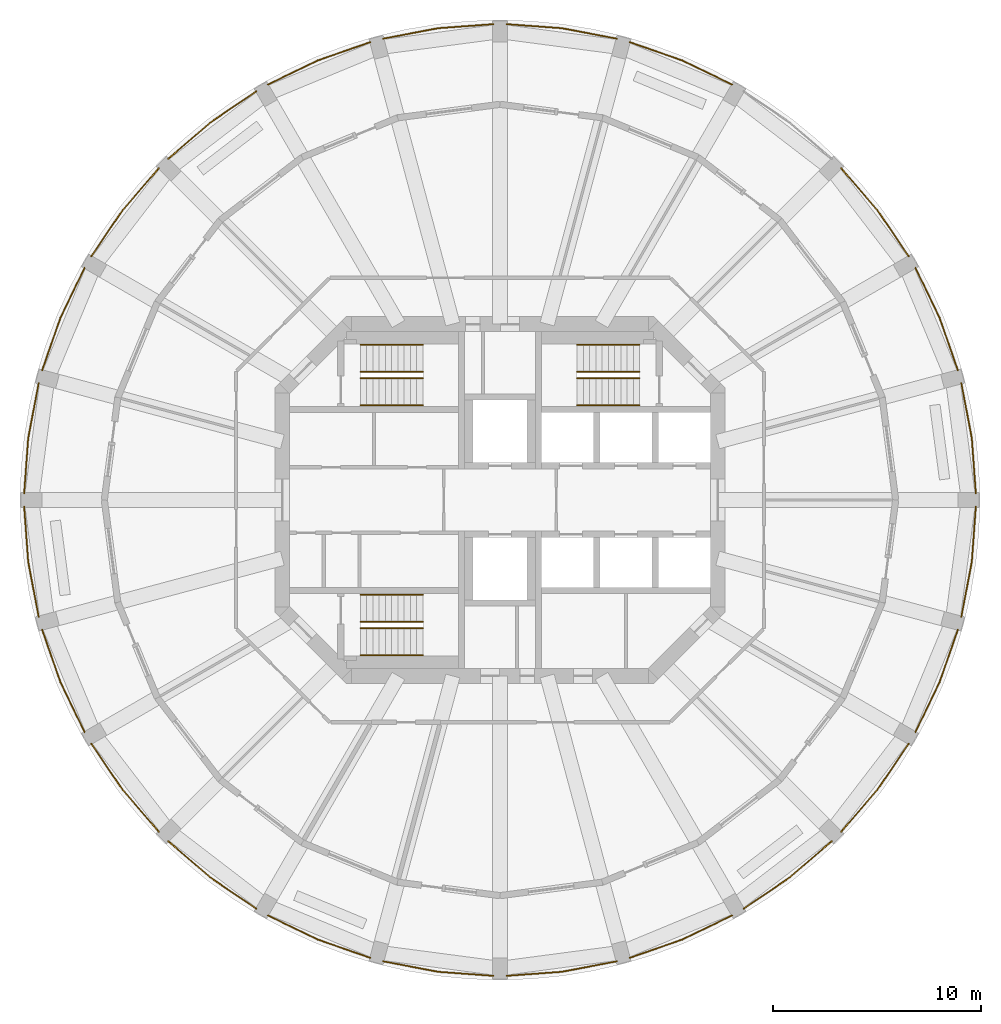
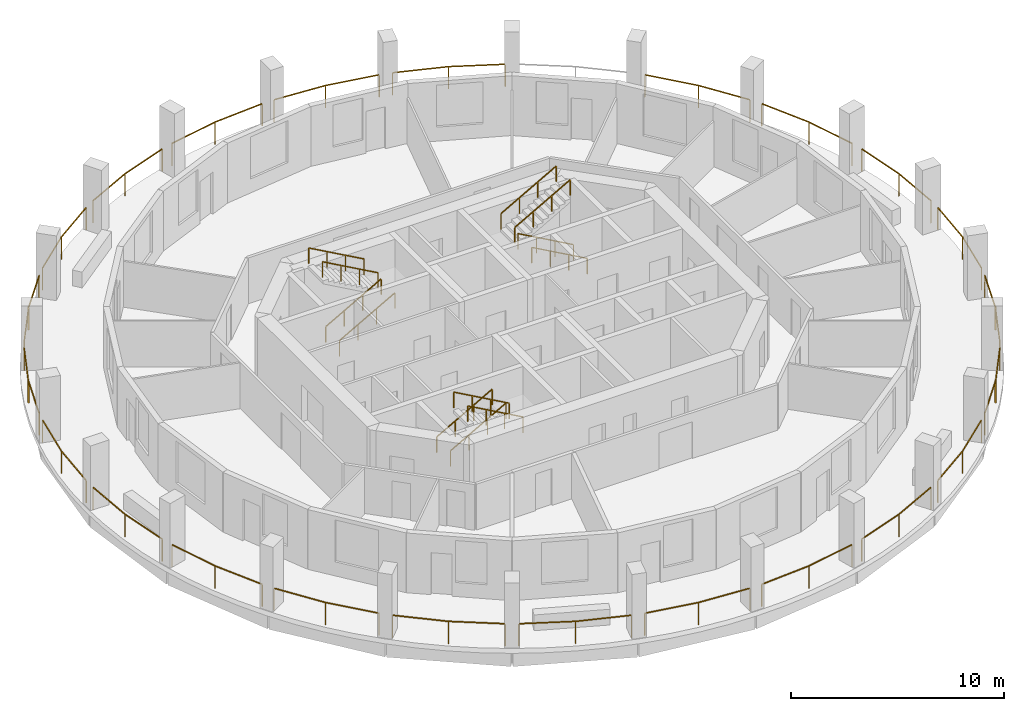
# One storey, part 8 of 9: 35 railings.
"""IFC4 building model written with IfcOpenShell, lengths in metres."""

from ifc_helpers import new_model, si_unit, direction, frame, origin, origin_2d, place, context, subcontext, project, spatial, rectangle, extrude, material, type_object, element, save


model = new_model("IFC4")

# Units and contexts
model_context = context("Model", 3, precision=1e-05, world=origin(), true_north=direction((0.0, 1.0)))
body_context = subcontext(model_context, "Body", "Model", "MODEL_VIEW")
ifc_project = project(units=[si_unit("LENGTHUNIT", "METRE"), si_unit("AREAUNIT", "SQUARE_METRE"), si_unit("VOLUMEUNIT", "CUBIC_METRE"), si_unit("PLANEANGLEUNIT", "RADIAN"), si_unit("MASSUNIT", "GRAM", prefix="KILO")], contexts=[model_context])

# Site, building, storey
site_placement = place(None, origin())
site = spatial("IfcSite", under=ifc_project, at=site_placement, CompositionType="ELEMENT")
building_placement = place(site_placement, origin())
building = spatial("IfcBuilding", under=site, at=building_placement, Name="Torre Triforio", CompositionType="ELEMENT")
storey_placement = place(building_placement, frame((0.0, 0.0, 161.60009765625)))
storey = spatial("IfcBuildingStorey", under=building, at=storey_placement, Name="L36", CompositionType="ELEMENT", Elevation=161.60009765625)

# Railings
ifc_material = material(Name="Stainless steel AISI 316", Category="steel")
railing_type_1 = type_object("IfcRailingType", Name="HANDRAIL 920", PredefinedType="HANDRAIL", material=ifc_material)
for number, where, name in (
    (1, (-6.699951171875, 4.550048828125, 0.16796875), "Handrail ST1"),
    (2, (-6.699951171875, 5.85009765625, 0.16796875), "Handrail ST1"),
):
    element("IfcRailing", number, at=place(storey_placement, frame(where)), inside=storey, type_object=railing_type_1, Name=name, PredefinedType="HANDRAIL", context=body_context, shape_type="SweptSolid", body=[
        extrude(rectangle(XDim=0.048095703125, YDim=0.048095703125, at=origin_2d()), frame((0.0, 0.0, 0.89599609375), z_axis=(0.872272294576, 0.0, 0.489020494575), x_axis=(0.0, 1.0, 0.0)), (0.0, 0.0, 1.0), 3.439208984375),
        extrude(rectangle(XDim=0.0419921875, YDim=0.0419921875, at=origin_2d()), origin(), (0.0, 0.0, 1.0), 0.871826171875),
        extrude(rectangle(XDim=0.0419921875, YDim=0.0419921875, at=origin_2d()), frame((1.0, 0.0, 0.560546875)), (0.0, 0.0, 1.0), 0.871826171875),
        extrude(rectangle(XDim=0.0419921875, YDim=0.0419921875, at=origin_2d()), frame((2.0, 0.0, 1.121337890625)), (0.0, 0.0, 1.0), 0.871826171875),
        extrude(rectangle(XDim=0.0419921875, YDim=0.0419921875, at=origin_2d()), frame((3.0, 0.0, 1.681884765625)), (0.0, 0.0, 1.0), 0.871826171875),
    ])
for number, where, name in (
    (3, (-3.699951171875, 7.449951171875, 2.01806640625), "Handrail ST1"),
    (4, (-3.699951171875, 6.14990234375, 2.01806640625), "Handrail ST1"),
    (5, (6.699951171875, 4.550048828125, 0.16796875), "Handrail ST2"),
    (6, (6.699951171875, 5.85009765625, 0.16796875), "Handrail ST2"),
):
    element("IfcRailing", number, at=place(storey_placement, frame(where)), inside=storey, type_object=railing_type_1, Name=name, PredefinedType="HANDRAIL", context=body_context, shape_type="SweptSolid", body=[
        extrude(rectangle(XDim=0.048095703125, YDim=0.048095703125, at=origin_2d()), frame((0.0, 0.0, 0.89599609375), z_axis=(-0.872272294576, 0.0, 0.489020494575), x_axis=(0.0, -1.0, 0.0)), (0.0, 0.0, 1.0), 3.439208984375),
        extrude(rectangle(XDim=0.0419921875, YDim=0.0419921875, at=origin_2d()), origin(), (0.0, 0.0, 1.0), 0.871826171875),
        extrude(rectangle(XDim=0.0419921875, YDim=0.0419921875, at=origin_2d()), frame((-1.0, 0.0, 0.560546875)), (0.0, 0.0, 1.0), 0.871826171875),
        extrude(rectangle(XDim=0.0419921875, YDim=0.0419921875, at=origin_2d()), frame((-2.0, 0.0, 1.121337890625)), (0.0, 0.0, 1.0), 0.871826171875),
        extrude(rectangle(XDim=0.0419921875, YDim=0.0419921875, at=origin_2d()), frame((-3.0, 0.0, 1.681884765625)), (0.0, 0.0, 1.0), 0.871826171875),
    ])
for number, where, name in (
    (7, (3.699951171875, 7.449951171875, 2.01806640625), "Handrail ST2"),
    (8, (3.699951171875, 6.14990234375, 2.01806640625), "Handrail ST2"),
    (9, (-6.699951171875, -4.550048828125, 0.16796875), "Handrail ST3"),
    (10, (-6.699951171875, -5.85009765625, 0.16796875), "Handrail ST3"),
):
    element("IfcRailing", number, at=place(storey_placement, frame(where)), inside=storey, type_object=railing_type_1, Name=name, PredefinedType="HANDRAIL", context=body_context, shape_type="SweptSolid", body=[
        extrude(rectangle(XDim=0.048095703125, YDim=0.048095703125, at=origin_2d()), frame((0.0, 0.0, 0.89599609375), z_axis=(0.872272294576, 0.0, 0.489020494575), x_axis=(0.0, 1.0, 0.0)), (0.0, 0.0, 1.0), 3.439208984375),
        extrude(rectangle(XDim=0.0419921875, YDim=0.0419921875, at=origin_2d()), origin(), (0.0, 0.0, 1.0), 0.871826171875),
        extrude(rectangle(XDim=0.0419921875, YDim=0.0419921875, at=origin_2d()), frame((1.0, 0.0, 0.560546875)), (0.0, 0.0, 1.0), 0.871826171875),
        extrude(rectangle(XDim=0.0419921875, YDim=0.0419921875, at=origin_2d()), frame((2.0, 0.0, 1.121337890625)), (0.0, 0.0, 1.0), 0.871826171875),
        extrude(rectangle(XDim=0.0419921875, YDim=0.0419921875, at=origin_2d()), frame((3.0, 0.0, 1.681884765625)), (0.0, 0.0, 1.0), 0.871826171875),
    ])
for number, where, name in (
    (11, (-3.699951171875, -7.449951171875, 2.01806640625), "Handrail ST3"),
    (12, (-3.699951171875, -6.14990234375, 2.01806640625), "Handrail ST3"),
):
    element("IfcRailing", number, at=place(storey_placement, frame(where)), inside=storey, type_object=railing_type_1, Name=name, PredefinedType="HANDRAIL", context=body_context, shape_type="SweptSolid", body=[
        extrude(rectangle(XDim=0.048095703125, YDim=0.048095703125, at=origin_2d()), frame((0.0, 0.0, 0.89599609375), z_axis=(-0.872272294576, 0.0, 0.489020494575), x_axis=(0.0, -1.0, 0.0)), (0.0, 0.0, 1.0), 3.439208984375),
        extrude(rectangle(XDim=0.0419921875, YDim=0.0419921875, at=origin_2d()), origin(), (0.0, 0.0, 1.0), 0.871826171875),
        extrude(rectangle(XDim=0.0419921875, YDim=0.0419921875, at=origin_2d()), frame((-1.0, 0.0, 0.560546875)), (0.0, 0.0, 1.0), 0.871826171875),
        extrude(rectangle(XDim=0.0419921875, YDim=0.0419921875, at=origin_2d()), frame((-2.0, 0.0, 1.121337890625)), (0.0, 0.0, 1.0), 0.871826171875),
        extrude(rectangle(XDim=0.0419921875, YDim=0.0419921875, at=origin_2d()), frame((-3.0, 0.0, 1.681884765625)), (0.0, 0.0, 1.0), 0.871826171875),
    ])
railing_type_2 = type_object("IfcRailingType", Name="Loggia guard 1300", PredefinedType="GUARDRAIL", material=ifc_material)
railing_1_placement = place(storey_placement, frame((22.85009765625, 0.320068359375, 0.0)))
element("IfcRailing", 13, at=railing_1_placement, inside=storey, type_object=railing_type_2, Name="Loggia guard L36 bay 01", PredefinedType="GUARDRAIL", context=body_context, shape_type="SweptSolid", body=[
    extrude(rectangle(XDim=0.050048828125, YDim=0.050048828125, at=origin_2d()), frame((0.0, 0.0, 1.27490234375), z_axis=(-0.073255194528, 0.997313228868, 0.0), x_axis=(-0.997313228868, -0.073255194528, 0.0)), (0.0, 0.0, 1.0), 2.66943359375),
    extrude(rectangle(XDim=0.050048828125, YDim=0.050048828125, at=origin_2d()), frame((-0.195556640625, 2.662353515625, 1.27490234375), z_axis=(-0.187368424401, 0.982289709575, 0.0), x_axis=(-0.982289709575, -0.187368424401, 0.0)), (0.0, 0.0, 1.0), 2.669921875),
    extrude(rectangle(XDim=0.0400390625, YDim=0.0400390625, at=origin_2d()), origin(), (0.0, 0.0, 1.0), 1.25),
    extrude(rectangle(XDim=0.0400390625, YDim=0.0400390625, at=origin_2d()), frame((-0.195556640625, 2.662353515625, 0.0)), (0.0, 0.0, 1.0), 1.25),
    extrude(rectangle(XDim=0.0400390625, YDim=0.0400390625, at=origin_2d()), frame((-0.69580078125, 5.284912109375, 0.0)), (0.0, 0.0, 1.0), 1.25),
])
railing_2_placement = place(storey_placement, frame((21.988525390625, 6.22314453125, 0.0)))
element("IfcRailing", 14, at=railing_2_placement, inside=storey, type_object=railing_type_2, Name="Loggia guard L36 bay 02", PredefinedType="GUARDRAIL", context=body_context, shape_type="SweptSolid", body=[
    extrude(rectangle(XDim=0.050048828125, YDim=0.050048828125, at=origin_2d()), frame((0.0, 0.0, 1.27490234375), z_axis=(-0.328846918852, 0.944383239984, 0.0), x_axis=(-0.944383239984, -0.328846918852, 0.0)), (0.0, 0.0, 1.0), 2.669677734375),
    extrude(rectangle(XDim=0.050048828125, YDim=0.050048828125, at=origin_2d()), frame((-0.8779296875, 2.521240234375, 1.27490234375), z_axis=(-0.435211903812, 0.900328050646, 0.0), x_axis=(-0.900328050646, -0.435211903812, 0.0)), (0.0, 0.0, 1.0), 2.669677734375),
    extrude(rectangle(XDim=0.0400390625, YDim=0.0400390625, at=origin_2d()), origin(), (0.0, 0.0, 1.0), 1.25),
    extrude(rectangle(XDim=0.0400390625, YDim=0.0400390625, at=origin_2d()), frame((-0.8779296875, 2.521240234375, 0.0)), (0.0, 0.0, 1.0), 1.25),
    extrude(rectangle(XDim=0.0400390625, YDim=0.0400390625, at=origin_2d()), frame((-2.039794921875, 4.9248046875, 0.0)), (0.0, 0.0, 1.0), 1.25),
])
railing_3_placement = place(storey_placement, frame((19.628662109375, 11.7021484375, 0.0)))
element("IfcRailing", 15, at=railing_3_placement, inside=storey, type_object=railing_type_2, Name="Loggia guard L36 bay 03", PredefinedType="GUARDRAIL", context=body_context, shape_type="SweptSolid", body=[
    extrude(rectangle(XDim=0.050048828125, YDim=0.050048828125, at=origin_2d()), frame((0.0, 0.0, 1.27490234375), z_axis=(-0.562064856935, 0.827093160774, 0.0), x_axis=(-0.827093160774, -0.562064856935, 0.0)), (0.0, 0.0, 1.0), 2.669677734375),
    extrude(rectangle(XDim=0.050048828125, YDim=0.050048828125, at=origin_2d()), frame((-1.50048828125, 2.2080078125, 1.27490234375), z_axis=(-0.653400799038, 0.757012150376, 0.0), x_axis=(-0.757012150376, -0.653400799038, 0.0)), (0.0, 0.0, 1.0), 2.669677734375),
    extrude(rectangle(XDim=0.0400390625, YDim=0.0400390625, at=origin_2d()), origin(), (0.0, 0.0, 1.0), 1.25),
    extrude(rectangle(XDim=0.0400390625, YDim=0.0400390625, at=origin_2d()), frame((-1.50048828125, 2.2080078125, 0.0)), (0.0, 0.0, 1.0), 1.25),
    extrude(rectangle(XDim=0.0400390625, YDim=0.0400390625, at=origin_2d()), frame((-3.244873046875, 4.22900390625, 0.0)), (0.0, 0.0, 1.0), 1.25),
])
railing_4_placement = place(storey_placement, frame((11.14794921875, 19.94873046875, 0.0)))
element("IfcRailing", 16, at=railing_4_placement, inside=storey, type_object=railing_type_2, Name="Loggia guard L36 bay 05", PredefinedType="GUARDRAIL", context=body_context, shape_type="SweptSolid", body=[
    extrude(rectangle(XDim=0.050048828125, YDim=0.050048828125, at=origin_2d()), frame((0.0, 0.0, 1.27490234375), z_axis=(-0.900328050646, 0.435211903812, 0.0), x_axis=(-0.435211903812, -0.900328050646, 0.0)), (0.0, 0.0, 1.0), 2.669677734375),
    extrude(rectangle(XDim=0.050048828125, YDim=0.050048828125, at=origin_2d()), frame((-2.403564453125, 1.161865234375, 1.27490234375), z_axis=(-0.944383239984, 0.328846918852, 0.0), x_axis=(-0.328846918852, -0.944383239984, 0.0)), (0.0, 0.0, 1.0), 2.669677734375),
    extrude(rectangle(XDim=0.0400390625, YDim=0.0400390625, at=origin_2d()), origin(), (0.0, 0.0, 1.0), 1.25),
    extrude(rectangle(XDim=0.0400390625, YDim=0.0400390625, at=origin_2d()), frame((-2.403564453125, 1.161865234375, 0.0)), (0.0, 0.0, 1.0), 1.25),
    extrude(rectangle(XDim=0.0400390625, YDim=0.0400390625, at=origin_2d()), frame((-4.9248046875, 2.039794921875, 0.0)), (0.0, 0.0, 1.0), 1.25),
])
railing_5_placement = place(storey_placement, frame((5.60498046875, 22.154296875, 0.0)))
element("IfcRailing", 17, at=railing_5_placement, inside=storey, type_object=railing_type_2, Name="Loggia guard L36 bay 06", PredefinedType="GUARDRAIL", context=body_context, shape_type="SweptSolid", body=[
    extrude(rectangle(XDim=0.050048828125, YDim=0.050048828125, at=origin_2d()), frame((0.0, 0.0, 1.27490234375), z_axis=(-0.982289709575, 0.187368424401, 0.0), x_axis=(-0.187368424401, -0.982289709575, 0.0)), (0.0, 0.0, 1.0), 2.669921875),
    extrude(rectangle(XDim=0.050048828125, YDim=0.050048828125, at=origin_2d()), frame((-2.62255859375, 0.500244140625, 1.27490234375), z_axis=(-0.997313228868, 0.073255194528, 0.0), x_axis=(-0.073255194528, -0.997313228868, 0.0)), (0.0, 0.0, 1.0), 2.66943359375),
    extrude(rectangle(XDim=0.0400390625, YDim=0.0400390625, at=origin_2d()), origin(), (0.0, 0.0, 1.0), 1.25),
    extrude(rectangle(XDim=0.0400390625, YDim=0.0400390625, at=origin_2d()), frame((-2.62255859375, 0.500244140625, 0.0)), (0.0, 0.0, 1.0), 1.25),
    extrude(rectangle(XDim=0.0400390625, YDim=0.0400390625, at=origin_2d()), frame((-5.284912109375, 0.69580078125, 0.0)), (0.0, 0.0, 1.0), 1.25),
])
railing_6_placement = place(storey_placement, frame((-0.320068359375, 22.85009765625, 0.0)))
element("IfcRailing", 18, at=railing_6_placement, inside=storey, type_object=railing_type_2, Name="Loggia guard L36 bay 07", PredefinedType="GUARDRAIL", context=body_context, shape_type="SweptSolid", body=[
    extrude(rectangle(XDim=0.050048828125, YDim=0.050048828125, at=origin_2d()), frame((0.0, 0.0, 1.27490234375), z_axis=(-0.997313228868, -0.073255194528, 0.0), x_axis=(0.073255194528, -0.997313228868, 0.0)), (0.0, 0.0, 1.0), 2.66943359375),
    extrude(rectangle(XDim=0.050048828125, YDim=0.050048828125, at=origin_2d()), frame((-2.662353515625, -0.195556640625, 1.27490234375), z_axis=(-0.982289709575, -0.187368424401, 0.0), x_axis=(0.187368424401, -0.982289709575, 0.0)), (0.0, 0.0, 1.0), 2.669921875),
    extrude(rectangle(XDim=0.0400390625, YDim=0.0400390625, at=origin_2d()), origin(), (0.0, 0.0, 1.0), 1.25),
    extrude(rectangle(XDim=0.0400390625, YDim=0.0400390625, at=origin_2d()), frame((-2.662353515625, -0.195556640625, 0.0)), (0.0, 0.0, 1.0), 1.25),
    extrude(rectangle(XDim=0.0400390625, YDim=0.0400390625, at=origin_2d()), frame((-5.284912109375, -0.69580078125, 0.0)), (0.0, 0.0, 1.0), 1.25),
])
railing_7_placement = place(storey_placement, frame((-6.22314453125, 21.988525390625, 0.0)))
element("IfcRailing", 19, at=railing_7_placement, inside=storey, type_object=railing_type_2, Name="Loggia guard L36 bay 08", PredefinedType="GUARDRAIL", context=body_context, shape_type="SweptSolid", body=[
    extrude(rectangle(XDim=0.050048828125, YDim=0.050048828125, at=origin_2d()), frame((0.0, 0.0, 1.27490234375), z_axis=(-0.944383239984, -0.328846918852, 0.0), x_axis=(0.328846918852, -0.944383239984, 0.0)), (0.0, 0.0, 1.0), 2.669677734375),
    extrude(rectangle(XDim=0.050048828125, YDim=0.050048828125, at=origin_2d()), frame((-2.521240234375, -0.8779296875, 1.27490234375), z_axis=(-0.900328050646, -0.435211903812, 0.0), x_axis=(0.435211903812, -0.900328050646, 0.0)), (0.0, 0.0, 1.0), 2.669677734375),
    extrude(rectangle(XDim=0.0400390625, YDim=0.0400390625, at=origin_2d()), origin(), (0.0, 0.0, 1.0), 1.25),
    extrude(rectangle(XDim=0.0400390625, YDim=0.0400390625, at=origin_2d()), frame((-2.521240234375, -0.8779296875, 0.0)), (0.0, 0.0, 1.0), 1.25),
    extrude(rectangle(XDim=0.0400390625, YDim=0.0400390625, at=origin_2d()), frame((-4.9248046875, -2.039794921875, 0.0)), (0.0, 0.0, 1.0), 1.25),
])
railing_8_placement = place(storey_placement, frame((-11.7021484375, 19.628662109375, 0.0)))
element("IfcRailing", 20, at=railing_8_placement, inside=storey, type_object=railing_type_2, Name="Loggia guard L36 bay 09", PredefinedType="GUARDRAIL", context=body_context, shape_type="SweptSolid", body=[
    extrude(rectangle(XDim=0.050048828125, YDim=0.050048828125, at=origin_2d()), frame((0.0, 0.0, 1.27490234375), z_axis=(-0.827093160774, -0.562064856935, 0.0), x_axis=(0.562064856935, -0.827093160774, 0.0)), (0.0, 0.0, 1.0), 2.669677734375),
    extrude(rectangle(XDim=0.050048828125, YDim=0.050048828125, at=origin_2d()), frame((-2.2080078125, -1.50048828125, 1.27490234375), z_axis=(-0.757012150376, -0.653400799038, 0.0), x_axis=(0.653400799038, -0.757012150376, 0.0)), (0.0, 0.0, 1.0), 2.669677734375),
    extrude(rectangle(XDim=0.0400390625, YDim=0.0400390625, at=origin_2d()), origin(), (0.0, 0.0, 1.0), 1.25),
    extrude(rectangle(XDim=0.0400390625, YDim=0.0400390625, at=origin_2d()), frame((-2.2080078125, -1.50048828125, 0.0)), (0.0, 0.0, 1.0), 1.25),
    extrude(rectangle(XDim=0.0400390625, YDim=0.0400390625, at=origin_2d()), frame((-4.22900390625, -3.244873046875, 0.0)), (0.0, 0.0, 1.0), 1.25),
])
railing_9_placement = place(storey_placement, frame((-16.3837890625, 15.93115234375, 0.0)))
element("IfcRailing", 21, at=railing_9_placement, inside=storey, type_object=railing_type_2, Name="Loggia guard L36 bay 10", PredefinedType="GUARDRAIL", context=body_context, shape_type="SweptSolid", body=[
    extrude(rectangle(XDim=0.050048828125, YDim=0.050048828125, at=origin_2d()), frame((0.0, 0.0, 1.27490234375), z_axis=(-0.653400799038, -0.757012150376, 0.0), x_axis=(0.757012150376, -0.653400799038, 0.0)), (0.0, 0.0, 1.0), 2.669677734375),
    extrude(rectangle(XDim=0.050048828125, YDim=0.050048828125, at=origin_2d()), frame((-1.744384765625, -2.02099609375, 1.27490234375), z_axis=(-0.562064856935, -0.827093160774, 0.0), x_axis=(0.827093160774, -0.562064856935, 0.0)), (0.0, 0.0, 1.0), 2.669677734375),
    extrude(rectangle(XDim=0.0400390625, YDim=0.0400390625, at=origin_2d()), origin(), (0.0, 0.0, 1.0), 1.25),
    extrude(rectangle(XDim=0.0400390625, YDim=0.0400390625, at=origin_2d()), frame((-1.744384765625, -2.02099609375, 0.0)), (0.0, 0.0, 1.0), 1.25),
    extrude(rectangle(XDim=0.0400390625, YDim=0.0400390625, at=origin_2d()), frame((-3.244873046875, -4.22900390625, 0.0)), (0.0, 0.0, 1.0), 1.25),
])
railing_10_placement = place(storey_placement, frame((-19.94873046875, 11.14794921875, 0.0)))
element("IfcRailing", 22, at=railing_10_placement, inside=storey, type_object=railing_type_2, Name="Loggia guard L36 bay 11", PredefinedType="GUARDRAIL", context=body_context, shape_type="SweptSolid", body=[
    extrude(rectangle(XDim=0.050048828125, YDim=0.050048828125, at=origin_2d()), frame((0.0, 0.0, 1.27490234375), z_axis=(-0.435211903812, -0.900328050646, 0.0), x_axis=(0.900328050646, -0.435211903812, 0.0)), (0.0, 0.0, 1.0), 2.669677734375),
    extrude(rectangle(XDim=0.050048828125, YDim=0.050048828125, at=origin_2d()), frame((-1.161865234375, -2.403564453125, 1.27490234375), z_axis=(-0.328846918852, -0.944383239984, 0.0), x_axis=(0.944383239984, -0.328846918852, 0.0)), (0.0, 0.0, 1.0), 2.669677734375),
    extrude(rectangle(XDim=0.0400390625, YDim=0.0400390625, at=origin_2d()), origin(), (0.0, 0.0, 1.0), 1.25),
    extrude(rectangle(XDim=0.0400390625, YDim=0.0400390625, at=origin_2d()), frame((-1.161865234375, -2.403564453125, 0.0)), (0.0, 0.0, 1.0), 1.25),
    extrude(rectangle(XDim=0.0400390625, YDim=0.0400390625, at=origin_2d()), frame((-2.039794921875, -4.9248046875, 0.0)), (0.0, 0.0, 1.0), 1.25),
])
railing_11_placement = place(storey_placement, frame((-22.154296875, 5.60498046875, 0.0)))
element("IfcRailing", 23, at=railing_11_placement, inside=storey, type_object=railing_type_2, Name="Loggia guard L36 bay 12", PredefinedType="GUARDRAIL", context=body_context, shape_type="SweptSolid", body=[
    extrude(rectangle(XDim=0.050048828125, YDim=0.050048828125, at=origin_2d()), frame((0.0, 0.0, 1.27490234375), z_axis=(-0.187368424401, -0.982289709575, 0.0), x_axis=(0.982289709575, -0.187368424401, 0.0)), (0.0, 0.0, 1.0), 2.669921875),
    extrude(rectangle(XDim=0.050048828125, YDim=0.050048828125, at=origin_2d()), frame((-0.500244140625, -2.62255859375, 1.27490234375), z_axis=(-0.073255194528, -0.997313228868, 0.0), x_axis=(0.997313228868, -0.073255194528, 0.0)), (0.0, 0.0, 1.0), 2.66943359375),
    extrude(rectangle(XDim=0.0400390625, YDim=0.0400390625, at=origin_2d()), origin(), (0.0, 0.0, 1.0), 1.25),
    extrude(rectangle(XDim=0.0400390625, YDim=0.0400390625, at=origin_2d()), frame((-0.500244140625, -2.62255859375, 0.0)), (0.0, 0.0, 1.0), 1.25),
    extrude(rectangle(XDim=0.0400390625, YDim=0.0400390625, at=origin_2d()), frame((-0.69580078125, -5.284912109375, 0.0)), (0.0, 0.0, 1.0), 1.25),
])
railing_12_placement = place(storey_placement, frame((-22.85009765625, -0.320068359375, 0.0)))
element("IfcRailing", 24, at=railing_12_placement, inside=storey, type_object=railing_type_2, Name="Loggia guard L36 bay 13", PredefinedType="GUARDRAIL", context=body_context, shape_type="SweptSolid", body=[
    extrude(rectangle(XDim=0.050048828125, YDim=0.050048828125, at=origin_2d()), frame((0.0, 0.0, 1.27490234375), z_axis=(0.073255194528, -0.997313228868, 0.0), x_axis=(0.997313228868, 0.073255194528, 0.0)), (0.0, 0.0, 1.0), 2.66943359375),
    extrude(rectangle(XDim=0.050048828125, YDim=0.050048828125, at=origin_2d()), frame((0.195556640625, -2.662353515625, 1.27490234375), z_axis=(0.187368424401, -0.982289709575, 0.0), x_axis=(0.982289709575, 0.187368424401, 0.0)), (0.0, 0.0, 1.0), 2.669921875),
    extrude(rectangle(XDim=0.0400390625, YDim=0.0400390625, at=origin_2d()), origin(), (0.0, 0.0, 1.0), 1.25),
    extrude(rectangle(XDim=0.0400390625, YDim=0.0400390625, at=origin_2d()), frame((0.195556640625, -2.662353515625, 0.0)), (0.0, 0.0, 1.0), 1.25),
    extrude(rectangle(XDim=0.0400390625, YDim=0.0400390625, at=origin_2d()), frame((0.69580078125, -5.284912109375, 0.0)), (0.0, 0.0, 1.0), 1.25),
])
railing_13_placement = place(storey_placement, frame((-21.988525390625, -6.22314453125, 0.0)))
element("IfcRailing", 25, at=railing_13_placement, inside=storey, type_object=railing_type_2, Name="Loggia guard L36 bay 14", PredefinedType="GUARDRAIL", context=body_context, shape_type="SweptSolid", body=[
    extrude(rectangle(XDim=0.050048828125, YDim=0.050048828125, at=origin_2d()), frame((0.0, 0.0, 1.27490234375), z_axis=(0.328846918852, -0.944383239984, 0.0), x_axis=(0.944383239984, 0.328846918852, 0.0)), (0.0, 0.0, 1.0), 2.669677734375),
    extrude(rectangle(XDim=0.050048828125, YDim=0.050048828125, at=origin_2d()), frame((0.8779296875, -2.521240234375, 1.27490234375), z_axis=(0.435211903812, -0.900328050646, 0.0), x_axis=(0.900328050646, 0.435211903812, 0.0)), (0.0, 0.0, 1.0), 2.669677734375),
    extrude(rectangle(XDim=0.0400390625, YDim=0.0400390625, at=origin_2d()), origin(), (0.0, 0.0, 1.0), 1.25),
    extrude(rectangle(XDim=0.0400390625, YDim=0.0400390625, at=origin_2d()), frame((0.8779296875, -2.521240234375, 0.0)), (0.0, 0.0, 1.0), 1.25),
    extrude(rectangle(XDim=0.0400390625, YDim=0.0400390625, at=origin_2d()), frame((2.039794921875, -4.9248046875, 0.0)), (0.0, 0.0, 1.0), 1.25),
])
railing_14_placement = place(storey_placement, frame((-19.628662109375, -11.7021484375, 0.0)))
element("IfcRailing", 26, at=railing_14_placement, inside=storey, type_object=railing_type_2, Name="Loggia guard L36 bay 15", PredefinedType="GUARDRAIL", context=body_context, shape_type="SweptSolid", body=[
    extrude(rectangle(XDim=0.050048828125, YDim=0.050048828125, at=origin_2d()), frame((0.0, 0.0, 1.27490234375), z_axis=(0.562064856935, -0.827093160774, 0.0), x_axis=(0.827093160774, 0.562064856935, 0.0)), (0.0, 0.0, 1.0), 2.669677734375),
    extrude(rectangle(XDim=0.050048828125, YDim=0.050048828125, at=origin_2d()), frame((1.50048828125, -2.2080078125, 1.27490234375), z_axis=(0.653400799038, -0.757012150376, 0.0), x_axis=(0.757012150376, 0.653400799038, 0.0)), (0.0, 0.0, 1.0), 2.669677734375),
    extrude(rectangle(XDim=0.0400390625, YDim=0.0400390625, at=origin_2d()), origin(), (0.0, 0.0, 1.0), 1.25),
    extrude(rectangle(XDim=0.0400390625, YDim=0.0400390625, at=origin_2d()), frame((1.50048828125, -2.2080078125, 0.0)), (0.0, 0.0, 1.0), 1.25),
    extrude(rectangle(XDim=0.0400390625, YDim=0.0400390625, at=origin_2d()), frame((3.244873046875, -4.22900390625, 0.0)), (0.0, 0.0, 1.0), 1.25),
])
railing_15_placement = place(storey_placement, frame((-15.93115234375, -16.3837890625, 0.0)))
element("IfcRailing", 27, at=railing_15_placement, inside=storey, type_object=railing_type_2, Name="Loggia guard L36 bay 16", PredefinedType="GUARDRAIL", context=body_context, shape_type="SweptSolid", body=[
    extrude(rectangle(XDim=0.050048828125, YDim=0.050048828125, at=origin_2d()), frame((0.0, 0.0, 1.27490234375), z_axis=(0.757012150376, -0.653400799038, 0.0), x_axis=(0.653400799038, 0.757012150376, 0.0)), (0.0, 0.0, 1.0), 2.669677734375),
    extrude(rectangle(XDim=0.050048828125, YDim=0.050048828125, at=origin_2d()), frame((2.02099609375, -1.744384765625, 1.27490234375), z_axis=(0.827093160774, -0.562064856935, 0.0), x_axis=(0.562064856935, 0.827093160774, 0.0)), (0.0, 0.0, 1.0), 2.669677734375),
    extrude(rectangle(XDim=0.0400390625, YDim=0.0400390625, at=origin_2d()), origin(), (0.0, 0.0, 1.0), 1.25),
    extrude(rectangle(XDim=0.0400390625, YDim=0.0400390625, at=origin_2d()), frame((2.02099609375, -1.744384765625, 0.0)), (0.0, 0.0, 1.0), 1.25),
    extrude(rectangle(XDim=0.0400390625, YDim=0.0400390625, at=origin_2d()), frame((4.22900390625, -3.244873046875, 0.0)), (0.0, 0.0, 1.0), 1.25),
])
railing_16_placement = place(storey_placement, frame((-11.14794921875, -19.94873046875, 0.0)))
element("IfcRailing", 28, at=railing_16_placement, inside=storey, type_object=railing_type_2, Name="Loggia guard L36 bay 17", PredefinedType="GUARDRAIL", context=body_context, shape_type="SweptSolid", body=[
    extrude(rectangle(XDim=0.050048828125, YDim=0.050048828125, at=origin_2d()), frame((0.0, 0.0, 1.27490234375), z_axis=(0.900328050646, -0.435211903812, 0.0), x_axis=(0.435211903812, 0.900328050646, 0.0)), (0.0, 0.0, 1.0), 2.669677734375),
    extrude(rectangle(XDim=0.050048828125, YDim=0.050048828125, at=origin_2d()), frame((2.403564453125, -1.161865234375, 1.27490234375), z_axis=(0.944383239984, -0.328846918852, 0.0), x_axis=(0.328846918852, 0.944383239984, 0.0)), (0.0, 0.0, 1.0), 2.669677734375),
    extrude(rectangle(XDim=0.0400390625, YDim=0.0400390625, at=origin_2d()), origin(), (0.0, 0.0, 1.0), 1.25),
    extrude(rectangle(XDim=0.0400390625, YDim=0.0400390625, at=origin_2d()), frame((2.403564453125, -1.161865234375, 0.0)), (0.0, 0.0, 1.0), 1.25),
    extrude(rectangle(XDim=0.0400390625, YDim=0.0400390625, at=origin_2d()), frame((4.9248046875, -2.039794921875, 0.0)), (0.0, 0.0, 1.0), 1.25),
])
railing_17_placement = place(storey_placement, frame((-5.60498046875, -22.154296875, 0.0)))
element("IfcRailing", 29, at=railing_17_placement, inside=storey, type_object=railing_type_2, Name="Loggia guard L36 bay 18", PredefinedType="GUARDRAIL", context=body_context, shape_type="SweptSolid", body=[
    extrude(rectangle(XDim=0.050048828125, YDim=0.050048828125, at=origin_2d()), frame((0.0, 0.0, 1.27490234375), z_axis=(0.982289709575, -0.187368424401, 0.0), x_axis=(0.187368424401, 0.982289709575, 0.0)), (0.0, 0.0, 1.0), 2.669921875),
    extrude(rectangle(XDim=0.050048828125, YDim=0.050048828125, at=origin_2d()), frame((2.62255859375, -0.500244140625, 1.27490234375), z_axis=(0.997313228868, -0.073255194528, 0.0), x_axis=(0.073255194528, 0.997313228868, 0.0)), (0.0, 0.0, 1.0), 2.66943359375),
    extrude(rectangle(XDim=0.0400390625, YDim=0.0400390625, at=origin_2d()), origin(), (0.0, 0.0, 1.0), 1.25),
    extrude(rectangle(XDim=0.0400390625, YDim=0.0400390625, at=origin_2d()), frame((2.62255859375, -0.500244140625, 0.0)), (0.0, 0.0, 1.0), 1.25),
    extrude(rectangle(XDim=0.0400390625, YDim=0.0400390625, at=origin_2d()), frame((5.284912109375, -0.69580078125, 0.0)), (0.0, 0.0, 1.0), 1.25),
])
railing_18_placement = place(storey_placement, frame((0.320068359375, -22.85009765625, 0.0)))
element("IfcRailing", 30, at=railing_18_placement, inside=storey, type_object=railing_type_2, Name="Loggia guard L36 bay 19", PredefinedType="GUARDRAIL", context=body_context, shape_type="SweptSolid", body=[
    extrude(rectangle(XDim=0.050048828125, YDim=0.050048828125, at=origin_2d()), frame((0.0, 0.0, 1.27490234375), z_axis=(0.997313228868, 0.073255194528, 0.0), x_axis=(-0.073255194528, 0.997313228868, 0.0)), (0.0, 0.0, 1.0), 2.66943359375),
    extrude(rectangle(XDim=0.050048828125, YDim=0.050048828125, at=origin_2d()), frame((2.662353515625, 0.195556640625, 1.27490234375), z_axis=(0.982289709575, 0.187368424401, 0.0), x_axis=(-0.187368424401, 0.982289709575, 0.0)), (0.0, 0.0, 1.0), 2.669921875),
    extrude(rectangle(XDim=0.0400390625, YDim=0.0400390625, at=origin_2d()), origin(), (0.0, 0.0, 1.0), 1.25),
    extrude(rectangle(XDim=0.0400390625, YDim=0.0400390625, at=origin_2d()), frame((2.662353515625, 0.195556640625, 0.0)), (0.0, 0.0, 1.0), 1.25),
    extrude(rectangle(XDim=0.0400390625, YDim=0.0400390625, at=origin_2d()), frame((5.284912109375, 0.69580078125, 0.0)), (0.0, 0.0, 1.0), 1.25),
])
railing_19_placement = place(storey_placement, frame((6.22314453125, -21.988525390625, 0.0)))
element("IfcRailing", 31, at=railing_19_placement, inside=storey, type_object=railing_type_2, Name="Loggia guard L36 bay 20", PredefinedType="GUARDRAIL", context=body_context, shape_type="SweptSolid", body=[
    extrude(rectangle(XDim=0.050048828125, YDim=0.050048828125, at=origin_2d()), frame((0.0, 0.0, 1.27490234375), z_axis=(0.944383239984, 0.328846918852, 0.0), x_axis=(-0.328846918852, 0.944383239984, 0.0)), (0.0, 0.0, 1.0), 2.669677734375),
    extrude(rectangle(XDim=0.050048828125, YDim=0.050048828125, at=origin_2d()), frame((2.521240234375, 0.8779296875, 1.27490234375), z_axis=(0.900328050646, 0.435211903812, 0.0), x_axis=(-0.435211903812, 0.900328050646, 0.0)), (0.0, 0.0, 1.0), 2.669677734375),
    extrude(rectangle(XDim=0.0400390625, YDim=0.0400390625, at=origin_2d()), origin(), (0.0, 0.0, 1.0), 1.25),
    extrude(rectangle(XDim=0.0400390625, YDim=0.0400390625, at=origin_2d()), frame((2.521240234375, 0.8779296875, 0.0)), (0.0, 0.0, 1.0), 1.25),
    extrude(rectangle(XDim=0.0400390625, YDim=0.0400390625, at=origin_2d()), frame((4.9248046875, 2.039794921875, 0.0)), (0.0, 0.0, 1.0), 1.25),
])
railing_20_placement = place(storey_placement, frame((11.7021484375, -19.628662109375, 0.0)))
element("IfcRailing", 32, at=railing_20_placement, inside=storey, type_object=railing_type_2, Name="Loggia guard L36 bay 21", PredefinedType="GUARDRAIL", context=body_context, shape_type="SweptSolid", body=[
    extrude(rectangle(XDim=0.050048828125, YDim=0.050048828125, at=origin_2d()), frame((0.0, 0.0, 1.27490234375), z_axis=(0.827093160774, 0.562064856935, 0.0), x_axis=(-0.562064856935, 0.827093160774, 0.0)), (0.0, 0.0, 1.0), 2.669677734375),
    extrude(rectangle(XDim=0.050048828125, YDim=0.050048828125, at=origin_2d()), frame((2.2080078125, 1.50048828125, 1.27490234375), z_axis=(0.757012150376, 0.653400799038, 0.0), x_axis=(-0.653400799038, 0.757012150376, 0.0)), (0.0, 0.0, 1.0), 2.669677734375),
    extrude(rectangle(XDim=0.0400390625, YDim=0.0400390625, at=origin_2d()), origin(), (0.0, 0.0, 1.0), 1.25),
    extrude(rectangle(XDim=0.0400390625, YDim=0.0400390625, at=origin_2d()), frame((2.2080078125, 1.50048828125, 0.0)), (0.0, 0.0, 1.0), 1.25),
    extrude(rectangle(XDim=0.0400390625, YDim=0.0400390625, at=origin_2d()), frame((4.22900390625, 3.244873046875, 0.0)), (0.0, 0.0, 1.0), 1.25),
])
railing_21_placement = place(storey_placement, frame((16.3837890625, -15.93115234375, 0.0)))
element("IfcRailing", 33, at=railing_21_placement, inside=storey, type_object=railing_type_2, Name="Loggia guard L36 bay 22", PredefinedType="GUARDRAIL", context=body_context, shape_type="SweptSolid", body=[
    extrude(rectangle(XDim=0.050048828125, YDim=0.050048828125, at=origin_2d()), frame((0.0, 0.0, 1.27490234375), z_axis=(0.653400799038, 0.757012150376, 0.0), x_axis=(-0.757012150376, 0.653400799038, 0.0)), (0.0, 0.0, 1.0), 2.669677734375),
    extrude(rectangle(XDim=0.050048828125, YDim=0.050048828125, at=origin_2d()), frame((1.744384765625, 2.02099609375, 1.27490234375), z_axis=(0.562064856935, 0.827093160774, 0.0), x_axis=(-0.827093160774, 0.562064856935, 0.0)), (0.0, 0.0, 1.0), 2.669677734375),
    extrude(rectangle(XDim=0.0400390625, YDim=0.0400390625, at=origin_2d()), origin(), (0.0, 0.0, 1.0), 1.25),
    extrude(rectangle(XDim=0.0400390625, YDim=0.0400390625, at=origin_2d()), frame((1.744384765625, 2.02099609375, 0.0)), (0.0, 0.0, 1.0), 1.25),
    extrude(rectangle(XDim=0.0400390625, YDim=0.0400390625, at=origin_2d()), frame((3.244873046875, 4.22900390625, 0.0)), (0.0, 0.0, 1.0), 1.25),
])
railing_22_placement = place(storey_placement, frame((19.94873046875, -11.14794921875, 0.0)))
element("IfcRailing", 34, at=railing_22_placement, inside=storey, type_object=railing_type_2, Name="Loggia guard L36 bay 23", PredefinedType="GUARDRAIL", context=body_context, shape_type="SweptSolid", body=[
    extrude(rectangle(XDim=0.050048828125, YDim=0.050048828125, at=origin_2d()), frame((0.0, 0.0, 1.27490234375), z_axis=(0.435211903812, 0.900328050646, 0.0), x_axis=(-0.900328050646, 0.435211903812, 0.0)), (0.0, 0.0, 1.0), 2.669677734375),
    extrude(rectangle(XDim=0.050048828125, YDim=0.050048828125, at=origin_2d()), frame((1.161865234375, 2.403564453125, 1.27490234375), z_axis=(0.328846918852, 0.944383239984, 0.0), x_axis=(-0.944383239984, 0.328846918852, 0.0)), (0.0, 0.0, 1.0), 2.669677734375),
    extrude(rectangle(XDim=0.0400390625, YDim=0.0400390625, at=origin_2d()), origin(), (0.0, 0.0, 1.0), 1.25),
    extrude(rectangle(XDim=0.0400390625, YDim=0.0400390625, at=origin_2d()), frame((1.161865234375, 2.403564453125, 0.0)), (0.0, 0.0, 1.0), 1.25),
    extrude(rectangle(XDim=0.0400390625, YDim=0.0400390625, at=origin_2d()), frame((2.039794921875, 4.9248046875, 0.0)), (0.0, 0.0, 1.0), 1.25),
])
railing_23_placement = place(storey_placement, frame((22.154296875, -5.60498046875, 0.0)))
element("IfcRailing", 35, at=railing_23_placement, inside=storey, type_object=railing_type_2, Name="Loggia guard L36 bay 24", PredefinedType="GUARDRAIL", context=body_context, shape_type="SweptSolid", body=[
    extrude(rectangle(XDim=0.050048828125, YDim=0.050048828125, at=origin_2d()), frame((0.0, 0.0, 1.27490234375), z_axis=(0.187368424401, 0.982289709575, 0.0), x_axis=(-0.982289709575, 0.187368424401, 0.0)), (0.0, 0.0, 1.0), 2.669921875),
    extrude(rectangle(XDim=0.050048828125, YDim=0.050048828125, at=origin_2d()), frame((0.500244140625, 2.62255859375, 1.27490234375), z_axis=(0.073255194528, 0.997313228868, 0.0), x_axis=(-0.997313228868, 0.073255194528, 0.0)), (0.0, 0.0, 1.0), 2.66943359375),
    extrude(rectangle(XDim=0.0400390625, YDim=0.0400390625, at=origin_2d()), origin(), (0.0, 0.0, 1.0), 1.25),
    extrude(rectangle(XDim=0.0400390625, YDim=0.0400390625, at=origin_2d()), frame((0.500244140625, 2.62255859375, 0.0)), (0.0, 0.0, 1.0), 1.25),
    extrude(rectangle(XDim=0.0400390625, YDim=0.0400390625, at=origin_2d()), frame((0.69580078125, 5.284912109375, 0.0)), (0.0, 0.0, 1.0), 1.25),
])

save(model, "model.ifc")
